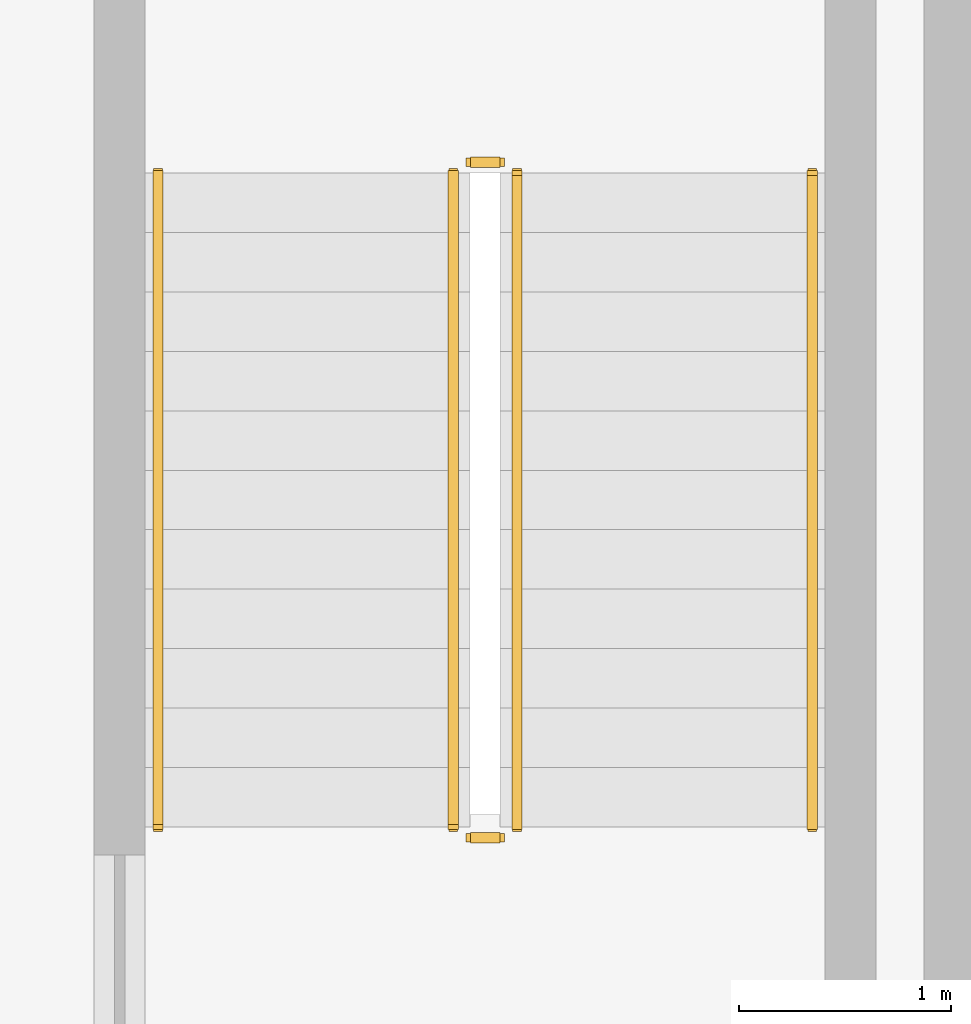
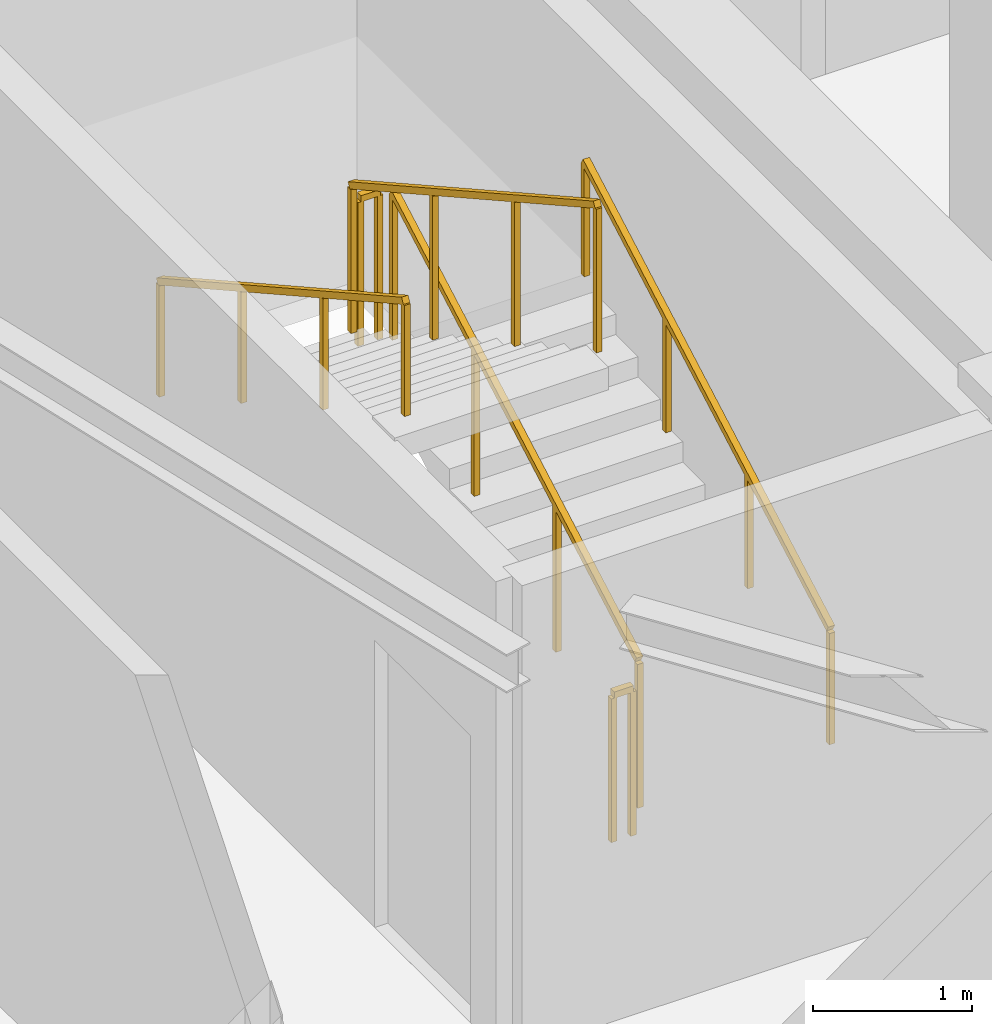
# One storey, part 8 of 10: 6 railings.
"""IFC4 building model written with IfcOpenShell, lengths in metres."""

from ifc_helpers import new_model, si_unit, direction, frame, origin, origin_2d, place, context, subcontext, project, spatial, rectangle, extrude, material, type_object, element, save


model = new_model("IFC4")

# Units and contexts
model_context = context("Model", 3, precision=1e-05, world=origin(), true_north=direction((0.0, 1.0)))
body_context = subcontext(model_context, "Body", "Model", "MODEL_VIEW")
ifc_project = project(units=[si_unit("LENGTHUNIT", "METRE"), si_unit("AREAUNIT", "SQUARE_METRE"), si_unit("VOLUMEUNIT", "CUBIC_METRE"), si_unit("PLANEANGLEUNIT", "RADIAN"), si_unit("MASSUNIT", "GRAM", prefix="KILO")], contexts=[model_context])

# Site, building, storey
site_placement = place(None, origin())
site = spatial("IfcSite", under=ifc_project, at=site_placement, CompositionType="ELEMENT")
building_placement = place(site_placement, origin())
building = spatial("IfcBuilding", under=site, at=building_placement, Name="Liaohun Quay Tower", CompositionType="ELEMENT")
storey_placement = place(building_placement, frame((0.0, 0.0, 339.75)))
storey = spatial("IfcBuildingStorey", under=building, at=storey_placement, Name="L88", CompositionType="ELEMENT", Elevation=339.75)

# Railings
ifc_material_1 = material(Name="Painted tubular steel", Category="steel")
railing_type_1 = type_object("IfcRailingType", Name="RLG-GUARD-STR", PredefinedType="GUARDRAIL", material=ifc_material_1)
railing_1_placement = place(storey_placement, frame((48.81005859375, 48.35009765625, 0.15625)))
element("IfcRailing", 1, at=railing_1_placement, inside=storey, type_object=railing_type_1, Name="L88 ST-1 stair guard 1", PredefinedType="GUARDRAIL", context=body_context, shape_type="SweptSolid", body=[
    extrude(rectangle(XDim=0.048095703125, YDim=0.048095703125, at=origin_2d()), frame((0.0, 0.0, 1.1259765625), z_axis=(0.0, 0.873225103656, 0.487317061414), x_axis=(-1.0, 0.0, 0.0)), (0.0, 0.0, 1.0), 3.52685546875),
    extrude(rectangle(XDim=0.0419921875, YDim=0.0419921875, at=origin_2d()), origin(), (0.0, 0.0, 1.0), 1.101806640625),
    extrude(rectangle(XDim=0.0419921875, YDim=0.0419921875, at=origin_2d()), frame((0.0, 1.026611328125, 0.572998046875)), (0.0, 0.0, 1.0), 1.101806640625),
    extrude(rectangle(XDim=0.0419921875, YDim=0.0419921875, at=origin_2d()), frame((0.0, 2.05322265625, 1.145751953125)), (0.0, 0.0, 1.0), 1.101806640625),
    extrude(rectangle(XDim=0.0419921875, YDim=0.0419921875, at=origin_2d()), frame((0.0, 3.079833984375, 1.71875)), (0.0, 0.0, 1.0), 1.101806640625),
])
railing_2_placement = place(storey_placement, frame((48.72998046875, 51.47998046875, 1.875)))
element("IfcRailing", 2, at=railing_2_placement, inside=storey, type_object=railing_type_1, Name="L88 ST-1 stair guard 2", PredefinedType="GUARDRAIL", context=body_context, shape_type="SweptSolid", body=[
    extrude(rectangle(XDim=0.048095703125, YDim=0.048095703125, at=origin_2d()), frame((0.0, 0.0, 1.1259765625), z_axis=(-1.0, 0.0, 0.0), x_axis=(0.0, -1.0, 0.0)), (0.0, 0.0, 1.0), 0.139892578125),
    extrude(rectangle(XDim=0.0419921875, YDim=0.0419921875, at=origin_2d()), origin(), (0.0, 0.0, 1.0), 1.101806640625),
    extrude(rectangle(XDim=0.0419921875, YDim=0.0419921875, at=origin_2d()), frame((-0.139892578125, 0.0, 0.0)), (0.0, 0.0, 1.0), 1.101806640625),
])
railing_3_placement = place(storey_placement, frame((48.510009765625, 51.429931640625, 2.03125)))
element("IfcRailing", 3, at=railing_3_placement, inside=storey, type_object=railing_type_1, Name="L88 ST-1 stair guard 3", PredefinedType="GUARDRAIL", context=body_context, shape_type="SweptSolid", body=[
    extrude(rectangle(XDim=0.048095703125, YDim=0.048095703125, at=origin_2d()), frame((0.0, 0.0, 1.1259765625), z_axis=(0.0, -0.873225103656, 0.487317061414), x_axis=(1.0, 0.0, 0.0)), (0.0, 0.0, 1.0), 3.52685546875),
    extrude(rectangle(XDim=0.0419921875, YDim=0.0419921875, at=origin_2d()), origin(), (0.0, 0.0, 1.0), 1.101806640625),
    extrude(rectangle(XDim=0.0419921875, YDim=0.0419921875, at=origin_2d()), frame((0.0, -1.026611328125, 0.572998046875)), (0.0, 0.0, 1.0), 1.101806640625),
    extrude(rectangle(XDim=0.0419921875, YDim=0.0419921875, at=origin_2d()), frame((0.0, -2.05322265625, 1.145751953125)), (0.0, 0.0, 1.0), 1.101806640625),
    extrude(rectangle(XDim=0.0419921875, YDim=0.0419921875, at=origin_2d()), frame((0.0, -3.079833984375, 1.71875)), (0.0, 0.0, 1.0), 1.101806640625),
])
railing_4_placement = place(storey_placement, frame((48.72998046875, 48.300048828125, 0.0)))
element("IfcRailing", 4, at=railing_4_placement, inside=storey, type_object=railing_type_1, Name="L88 ST-1 stair guard 4", PredefinedType="GUARDRAIL", context=body_context, shape_type="SweptSolid", body=[
    extrude(rectangle(XDim=0.048095703125, YDim=0.048095703125, at=origin_2d()), frame((0.0, 0.0, 1.1259765625), z_axis=(-1.0, 0.0, 0.0), x_axis=(0.0, -1.0, 0.0)), (0.0, 0.0, 1.0), 0.139892578125),
    extrude(rectangle(XDim=0.0419921875, YDim=0.0419921875, at=origin_2d()), origin(), (0.0, 0.0, 1.0), 1.101806640625),
    extrude(rectangle(XDim=0.0419921875, YDim=0.0419921875, at=origin_2d()), frame((-0.139892578125, 0.0, 0.0)), (0.0, 0.0, 1.0), 1.101806640625),
])
ifc_material_2 = material(Name="Brushed stainless steel", Category="steel")
railing_type_2 = type_object("IfcRailingType", Name="RLG-HND-STR", PredefinedType="HANDRAIL", material=ifc_material_2)
railing_5_placement = place(storey_placement, frame((50.199951171875, 48.35009765625, 0.15625)))
element("IfcRailing", 5, at=railing_5_placement, inside=storey, type_object=railing_type_2, Name="L88 ST-1 stair handrail 1", PredefinedType="HANDRAIL", context=body_context, shape_type="SweptSolid", body=[
    extrude(rectangle(XDim=0.048095703125, YDim=0.048095703125, at=origin_2d()), frame((0.0, 0.0, 0.8759765625), z_axis=(0.0, 0.873225103656, 0.487317061414), x_axis=(-1.0, 0.0, 0.0)), (0.0, 0.0, 1.0), 3.52685546875),
    extrude(rectangle(XDim=0.0419921875, YDim=0.0419921875, at=origin_2d()), origin(), (0.0, 0.0, 1.0), 0.851806640625),
    extrude(rectangle(XDim=0.0419921875, YDim=0.0419921875, at=origin_2d()), frame((0.0, 1.026611328125, 0.572998046875)), (0.0, 0.0, 1.0), 0.851806640625),
    extrude(rectangle(XDim=0.0419921875, YDim=0.0419921875, at=origin_2d()), frame((0.0, 2.05322265625, 1.145751953125)), (0.0, 0.0, 1.0), 0.851806640625),
    extrude(rectangle(XDim=0.0419921875, YDim=0.0419921875, at=origin_2d()), frame((0.0, 3.079833984375, 1.71875)), (0.0, 0.0, 1.0), 0.851806640625),
])
railing_6_placement = place(storey_placement, frame((47.1201171875, 51.429931640625, 2.03125)))
element("IfcRailing", 6, at=railing_6_placement, inside=storey, type_object=railing_type_2, Name="L88 ST-1 stair handrail 2", PredefinedType="HANDRAIL", context=body_context, shape_type="SweptSolid", body=[
    extrude(rectangle(XDim=0.048095703125, YDim=0.048095703125, at=origin_2d()), frame((0.0, 0.0, 0.8759765625), z_axis=(0.0, -0.873225103656, 0.487317061414), x_axis=(1.0, 0.0, 0.0)), (0.0, 0.0, 1.0), 3.52685546875),
    extrude(rectangle(XDim=0.0419921875, YDim=0.0419921875, at=origin_2d()), origin(), (0.0, 0.0, 1.0), 0.851806640625),
    extrude(rectangle(XDim=0.0419921875, YDim=0.0419921875, at=origin_2d()), frame((0.0, -1.026611328125, 0.572998046875)), (0.0, 0.0, 1.0), 0.851806640625),
    extrude(rectangle(XDim=0.0419921875, YDim=0.0419921875, at=origin_2d()), frame((0.0, -2.05322265625, 1.145751953125)), (0.0, 0.0, 1.0), 0.851806640625),
    extrude(rectangle(XDim=0.0419921875, YDim=0.0419921875, at=origin_2d()), frame((0.0, -3.079833984375, 1.71875)), (0.0, 0.0, 1.0), 0.851806640625),
])

save(model, "model.ifc")
